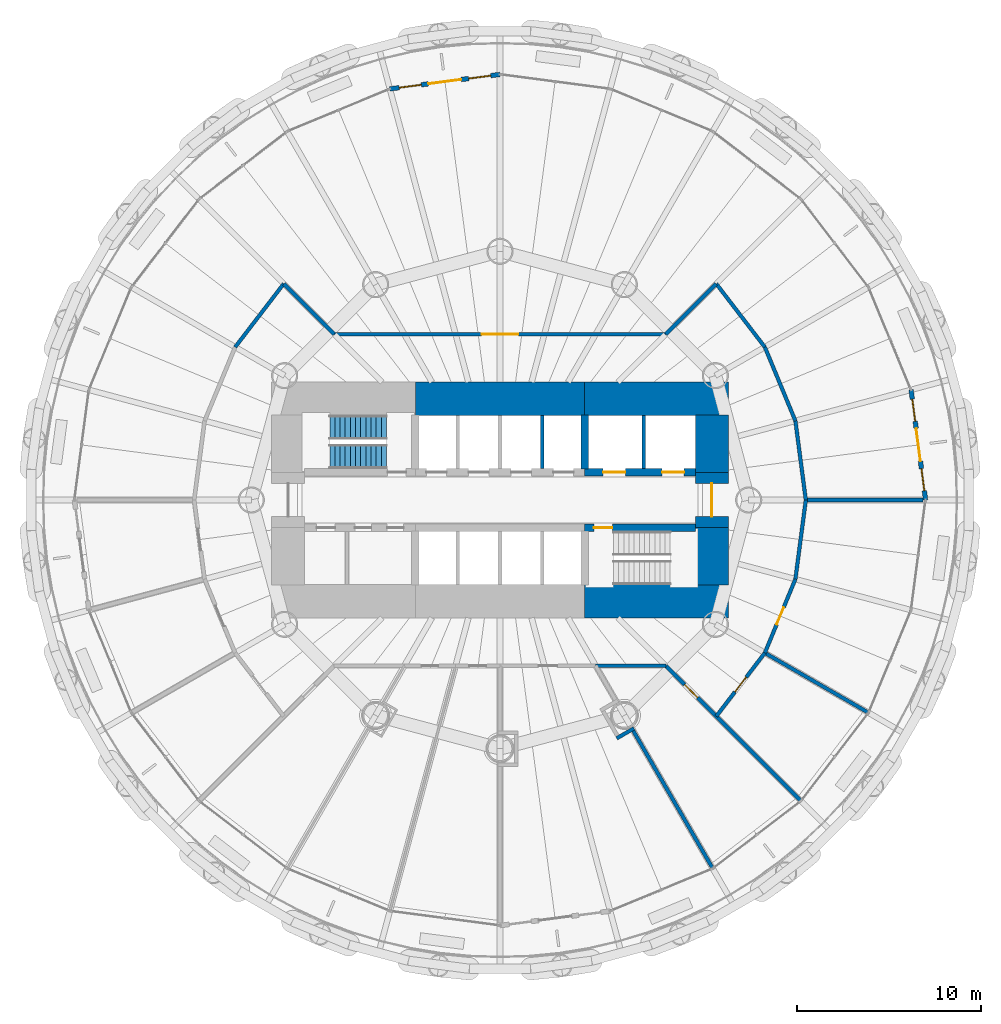
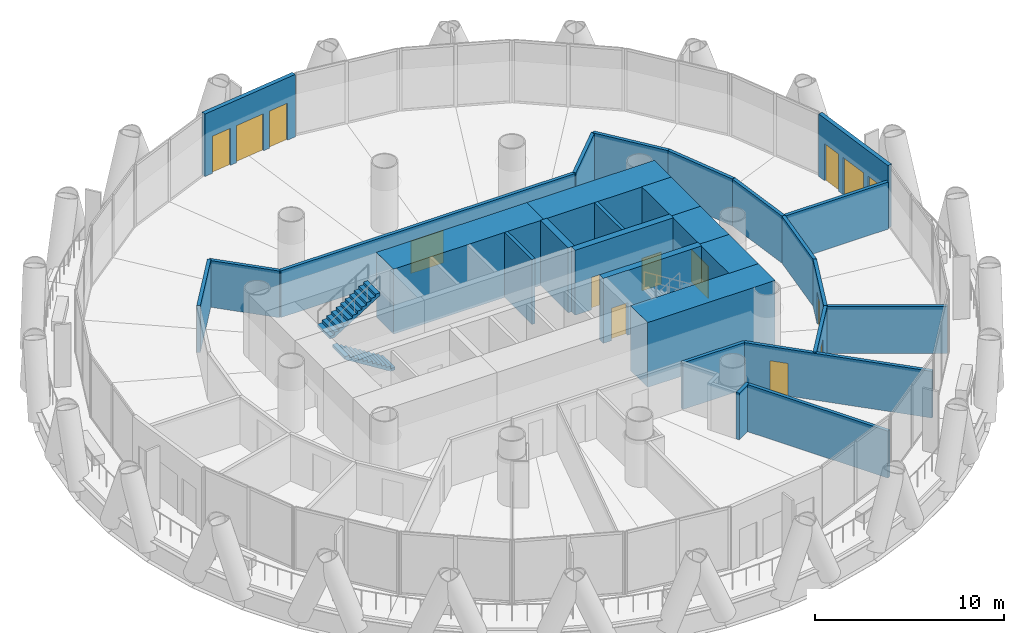
# One storey, part 11 of 16: 29 walls, 10 doors, 4 windows, 2 stair flights, 14 openings, 1 element without a shape of its own.
"""IFC4 building model written with IfcOpenShell, lengths in metres."""

from ifc_helpers import new_model, si_unit, direction, frame, frame_2d, origin, place, context, subcontext, project, spatial, polyline, rectangle, outline, extrude, material, layer, layer_set, type_object, element, fill, aggregate, save


model = new_model("IFC4")

# Units and contexts
model_context = context("Model", 3, precision=1e-05, world=origin(), true_north=direction((0.0, 1.0)))
body_context = subcontext(model_context, "Body", "Model", "MODEL_VIEW")
ifc_project = project(units=[si_unit("LENGTHUNIT", "METRE"), si_unit("AREAUNIT", "SQUARE_METRE"), si_unit("VOLUMEUNIT", "CUBIC_METRE"), si_unit("PLANEANGLEUNIT", "RADIAN"), si_unit("MASSUNIT", "GRAM", prefix="KILO")], contexts=[model_context])

# Site, building, storey
site_placement = place(None, origin())
site = spatial("IfcSite", under=ifc_project, at=site_placement, CompositionType="ELEMENT")
building_placement = place(site_placement, origin())
building = spatial("IfcBuilding", under=site, at=building_placement, Name="Qaws Media Tower", CompositionType="ELEMENT")
storey_placement = place(building_placement, frame((0.0, 0.0, 80.60009765625)))
storey = spatial("IfcBuildingStorey", under=building, at=storey_placement, Name="L17", CompositionType="ELEMENT", Elevation=80.60009765625)

# Wall, openings, door, windows
ifc_material_1 = material(Name="Precast concrete, exposed finish", Category="concrete")
ifc_layer_1 = layer(ifc_material_1, 0.25)
ifc_layer_set_1 = layer_set([ifc_layer_1], Name="Balcony door wall 250")
wall_type_1 = type_object("IfcWallType", Name="Balcony door wall 250", PredefinedType="SOLIDWALL", material=ifc_layer_set_1)
wall_1_placement = place(storey_placement, frame((83.10009765625, 50.0, 0.0), z_axis=(0.0, 0.0, 1.0), x_axis=(-0.130524679454, 0.991445060532, 0.0)))
wall_1 = element("IfcWall", 1, at=wall_1_placement, inside=storey, type_object=wall_type_1, Name="W156 EW1 balcony door wall L17-01", PredefinedType="SOLIDWALL", context=body_context, shape_type="SweptSolid", body=[
    extrude(rectangle(XDim=6.0302734375, YDim=0.25, at=frame_2d((3.01513671875, 0.0))), origin(), (0.0, 0.0, 1.0), 4.039794921875),
])
opening_1_placement = place(wall_1_placement, frame((2.115234375, 0.0, 0.0)))
opening_1 = element("IfcOpeningElement", 2, at=opening_1_placement, cuts=wall_1, Name="Opening D7", PredefinedType="OPENING", context=body_context, shape_type="SweptSolid", body=[
    extrude(rectangle(XDim=1.800048828125, YDim=2.39990234375, at=frame_2d((0.89990234375, 1.199951171875))), frame((0.0, 0.135009765625, 0.0), z_axis=(0.0, -1.0, 0.0), x_axis=(1.0, 0.0, 0.0)), (0.0, 0.0, 1.0), 0.27001953125),
])
opening_2_placement = place(wall_1_placement, frame((0.51513671875, 0.0, 0.0)))
opening_2 = element("IfcOpeningElement", 3, at=opening_2_placement, cuts=wall_1, Name="Opening W1", PredefinedType="OPENING", context=body_context, shape_type="SweptSolid", body=[
    extrude(rectangle(XDim=1.199951171875, YDim=2.39990234375, at=frame_2d((0.60009765625, 1.199951171875))), frame((0.0, 0.135009765625, 0.0), z_axis=(0.0, -1.0, 0.0), x_axis=(1.0, 0.0, 0.0)), (0.0, 0.0, 1.0), 0.27001953125),
])
opening_3_placement = place(wall_1_placement, frame((4.315185546875, 0.0, 0.0)))
opening_3 = element("IfcOpeningElement", 4, at=opening_3_placement, cuts=wall_1, Name="Opening W1", PredefinedType="OPENING", context=body_context, shape_type="SweptSolid", body=[
    extrude(rectangle(XDim=1.199951171875, YDim=2.39990234375, at=frame_2d((0.60009765625, 1.199951171875))), frame((0.0, 0.135009765625, 0.0), z_axis=(0.0, -1.0, 0.0), x_axis=(1.0, 0.0, 0.0)), (0.0, 0.0, 1.0), 0.27001953125),
])
ifc_material_2 = material(Name="Aluminium and clear glass", Category="aluminium")
door_type_1 = type_object("IfcDoorType", Name="Balcony door pair 1800", OperationType="DOUBLE_DOOR_SLIDING", PredefinedType="DOOR", material=ifc_material_2)
door_1_placement = place(opening_1_placement, origin())
door_1 = element("IfcDoor", 5, at=door_1_placement, inside=storey, type_object=door_type_1, Name="D7 balcony door L17-01 in wall W156", OperationType="DOUBLE_DOOR_SLIDING", OverallHeight=2.39990234375, OverallWidth=1.800048828125, PredefinedType="DOOR", context=body_context, shape_type="SweptSolid", body=[
    extrude(rectangle(XDim=1.800048828125, YDim=2.39990234375, at=frame_2d((0.89990234375, 1.199951171875))), frame((0.0, 0.02490234375, 0.0), z_axis=(0.0, -1.0, 0.0), x_axis=(1.0, 0.0, 0.0)), (0.0, 0.0, 1.0), 0.050048828125),
])
fill(opening_1, door_1)
ifc_material_3 = material(Name="Aluminium and clear glass", Category="aluminium")
window_type = type_object("IfcWindowType", Name="Balcony side window 1200", PartitioningType="SINGLE_PANEL", PredefinedType="WINDOW", material=ifc_material_3)
window_1_placement = place(opening_2_placement, origin())
window_1 = element("IfcWindow", 6, at=window_1_placement, inside=storey, type_object=window_type, Name="W1 balcony side light L17-01L", OverallHeight=2.39990234375, OverallWidth=1.199951171875, PartitioningType="SINGLE_PANEL", PredefinedType="WINDOW", context=body_context, shape_type="SweptSolid", body=[
    extrude(rectangle(XDim=1.199951171875, YDim=2.39990234375, at=frame_2d((0.60009765625, 1.199951171875))), frame((0.0, 0.030029296875, 0.0), z_axis=(0.0, -1.0, 0.0), x_axis=(1.0, 0.0, 0.0)), (0.0, 0.0, 1.0), 0.06005859375),
])
fill(opening_2, window_1)
window_2_placement = place(opening_3_placement, origin())
window_2 = element("IfcWindow", 7, at=window_2_placement, inside=storey, type_object=window_type, Name="W1 balcony side light L17-01R", OverallHeight=2.39990234375, OverallWidth=1.199951171875, PartitioningType="SINGLE_PANEL", PredefinedType="WINDOW", context=body_context, shape_type="SweptSolid", body=[
    extrude(rectangle(XDim=1.199951171875, YDim=2.39990234375, at=frame_2d((0.60009765625, 1.199951171875))), frame((0.0, 0.030029296875, 0.0), z_axis=(0.0, -1.0, 0.0), x_axis=(1.0, 0.0, 0.0)), (0.0, 0.0, 1.0), 0.06005859375),
])
fill(opening_3, window_2)

wall_2_placement = place(storey_placement, frame((60.0, 73.10009765625, 0.0), z_axis=(0.0, 0.0, 1.0), x_axis=(-0.991445060532, -0.130524679454, 0.0)))
wall_2 = element("IfcWall", 8, at=wall_2_placement, inside=storey, type_object=wall_type_1, Name="W155 EW1 balcony door wall L17-07", PredefinedType="SOLIDWALL", context=body_context, shape_type="SweptSolid", body=[
    extrude(rectangle(XDim=6.0302734375, YDim=0.25, at=frame_2d((3.01513671875, 0.0))), origin(), (0.0, 0.0, 1.0), 4.039794921875),
])
opening_4_placement = place(wall_2_placement, frame((2.115234375, 0.0, 0.0)))
opening_4 = element("IfcOpeningElement", 9, at=opening_4_placement, cuts=wall_2, Name="Opening D7", PredefinedType="OPENING", context=body_context, shape_type="SweptSolid", body=[
    extrude(rectangle(XDim=1.800048828125, YDim=2.39990234375, at=frame_2d((0.89990234375, 1.199951171875))), frame((0.0, 0.135009765625, 0.0), z_axis=(0.0, -1.0, 0.0), x_axis=(1.0, 0.0, 0.0)), (0.0, 0.0, 1.0), 0.27001953125),
])
opening_5_placement = place(wall_2_placement, frame((0.51513671875, 0.0, 0.0)))
opening_5 = element("IfcOpeningElement", 10, at=opening_5_placement, cuts=wall_2, Name="Opening W1", PredefinedType="OPENING", context=body_context, shape_type="SweptSolid", body=[
    extrude(rectangle(XDim=1.199951171875, YDim=2.39990234375, at=frame_2d((0.60009765625, 1.199951171875))), frame((0.0, 0.135009765625, 0.0), z_axis=(0.0, -1.0, 0.0), x_axis=(1.0, 0.0, 0.0)), (0.0, 0.0, 1.0), 0.27001953125),
])
opening_6_placement = place(wall_2_placement, frame((4.315185546875, 0.0, 0.0)))
opening_6 = element("IfcOpeningElement", 11, at=opening_6_placement, cuts=wall_2, Name="Opening W1", PredefinedType="OPENING", context=body_context, shape_type="SweptSolid", body=[
    extrude(rectangle(XDim=1.199951171875, YDim=2.39990234375, at=frame_2d((0.60009765625, 1.199951171875))), frame((0.0, 0.135009765625, 0.0), z_axis=(0.0, -1.0, 0.0), x_axis=(1.0, 0.0, 0.0)), (0.0, 0.0, 1.0), 0.27001953125),
])
door_2_placement = place(opening_4_placement, origin())
door_2 = element("IfcDoor", 12, at=door_2_placement, inside=storey, type_object=door_type_1, Name="D7 balcony door L17-07 in wall W155", OperationType="DOUBLE_DOOR_SLIDING", OverallHeight=2.39990234375, OverallWidth=1.800048828125, PredefinedType="DOOR", context=body_context, shape_type="SweptSolid", body=[
    extrude(rectangle(XDim=1.800048828125, YDim=2.39990234375, at=frame_2d((0.89990234375, 1.199951171875))), frame((0.0, 0.02490234375, 0.0), z_axis=(0.0, -1.0, 0.0), x_axis=(1.0, 0.0, 0.0)), (0.0, 0.0, 1.0), 0.050048828125),
])
fill(opening_4, door_2)
window_3_placement = place(opening_5_placement, origin())
window_3 = element("IfcWindow", 13, at=window_3_placement, inside=storey, type_object=window_type, Name="W1 balcony side light L17-07L", OverallHeight=2.39990234375, OverallWidth=1.199951171875, PartitioningType="SINGLE_PANEL", PredefinedType="WINDOW", context=body_context, shape_type="SweptSolid", body=[
    extrude(rectangle(XDim=1.199951171875, YDim=2.39990234375, at=frame_2d((0.60009765625, 1.199951171875))), frame((0.0, 0.030029296875, 0.0), z_axis=(0.0, -1.0, 0.0), x_axis=(1.0, 0.0, 0.0)), (0.0, 0.0, 1.0), 0.06005859375),
])
fill(opening_5, window_3)
window_4_placement = place(opening_6_placement, origin())
window_4 = element("IfcWindow", 14, at=window_4_placement, inside=storey, type_object=window_type, Name="W1 balcony side light L17-07R", OverallHeight=2.39990234375, OverallWidth=1.199951171875, PartitioningType="SINGLE_PANEL", PredefinedType="WINDOW", context=body_context, shape_type="SweptSolid", body=[
    extrude(rectangle(XDim=1.199951171875, YDim=2.39990234375, at=frame_2d((0.60009765625, 1.199951171875))), frame((0.0, 0.030029296875, 0.0), z_axis=(0.0, -1.0, 0.0), x_axis=(1.0, 0.0, 0.0)), (0.0, 0.0, 1.0), 0.06005859375),
])
fill(opening_6, window_4)

# Wall, openings, doors
ifc_material_4 = material(Name="Concrete C60/75", Category="concrete")
ifc_layer_2 = layer(ifc_material_4, 0.39990234375)
ifc_layer_set_2 = layer_set([ifc_layer_2], Name="Core inner wall 400")
wall_type_2 = type_object("IfcWallType", Name="Core inner wall 400", PredefinedType="SHEAR", material=ifc_layer_set_2)
wall_3_placement = place(storey_placement, frame((64.60009765625, 51.5, 0.0), z_axis=(0.0, 0.0, 1.0), x_axis=(1.0, 0.0, 0.0)))
wall_3 = element("IfcWall", 15, at=wall_3_placement, inside=storey, type_object=wall_type_2, Name="W318 SW4 core wall SPNE L17", PredefinedType="SHEAR", context=body_context, shape_type="SweptSolid", body=[
    extrude(rectangle(XDim=6.02001953125, YDim=0.39990234375, at=frame_2d((3.010009765625, 0.0))), origin(), (0.0, 0.0, 1.0), 4.199951171875),
])
opening_7_placement = place(wall_3_placement, frame((1.0, 0.0, 0.0)))
opening_7 = element("IfcOpeningElement", 16, at=opening_7_placement, cuts=wall_3, Name="Opening LD2", PredefinedType="OPENING", context=body_context, shape_type="SweptSolid", body=[
    extrude(rectangle(XDim=1.199951171875, YDim=2.10009765625, at=frame_2d((0.60009765625, 1.050048828125))), frame((0.0, 0.2099609375, 0.0), z_axis=(0.0, -1.0, 0.0), x_axis=(1.0, 0.0, 0.0)), (0.0, 0.0, 1.0), 0.419921875),
])
opening_8_placement = place(wall_3_placement, frame((4.199951171875, 0.0, 0.0)))
opening_8 = element("IfcOpeningElement", 17, at=opening_8_placement, cuts=wall_3, Name="Opening LD2", PredefinedType="OPENING", context=body_context, shape_type="SweptSolid", body=[
    extrude(rectangle(XDim=1.199951171875, YDim=2.10009765625, at=frame_2d((0.60009765625, 1.050048828125))), frame((0.0, 0.2099609375, 0.0), z_axis=(0.0, -1.0, 0.0), x_axis=(1.0, 0.0, 0.0)), (0.0, 0.0, 1.0), 0.419921875),
])
ifc_material_5 = material(Name="Steel, fire rated", Category="steel")
door_type_2 = type_object("IfcDoorType", Name="Lift landing door 1200", OperationType="SLIDING_TO_LEFT", PredefinedType="DOOR", material=ifc_material_5)
door_3_placement = place(opening_7_placement, origin())
door_3 = element("IfcDoor", 18, at=door_3_placement, inside=storey, type_object=door_type_2, Name="FL1 landing door L17 in wall W318", OperationType="SLIDING_TO_LEFT", OverallHeight=2.10009765625, OverallWidth=1.199951171875, PredefinedType="DOOR", context=body_context, shape_type="SweptSolid", body=[
    extrude(rectangle(XDim=1.199951171875, YDim=2.10009765625, at=frame_2d((0.60009765625, 1.050048828125))), frame((0.0, 0.02490234375, 0.0), z_axis=(0.0, -1.0, 0.0), x_axis=(1.0, 0.0, 0.0)), (0.0, 0.0, 1.0), 0.050048828125),
])
fill(opening_7, door_3)
door_4_placement = place(opening_8_placement, origin())
door_4 = element("IfcDoor", 19, at=door_4_placement, inside=storey, type_object=door_type_2, Name="FL2 landing door L17 in wall W318", OperationType="SLIDING_TO_LEFT", OverallHeight=2.10009765625, OverallWidth=1.199951171875, PredefinedType="DOOR", context=body_context, shape_type="SweptSolid", body=[
    extrude(rectangle(XDim=1.199951171875, YDim=2.10009765625, at=frame_2d((0.60009765625, 1.050048828125))), frame((0.0, 0.02490234375, 0.0), z_axis=(0.0, -1.0, 0.0), x_axis=(1.0, 0.0, 0.0)), (0.0, 0.0, 1.0), 0.050048828125),
])
fill(opening_8, door_4)

# Wall, opening, door
wall_4_placement = place(storey_placement, frame((64.60009765625, 48.5, 0.0), z_axis=(0.0, 0.0, 1.0), x_axis=(1.0, 0.0, 0.0)))
wall_4 = element("IfcWall", 20, at=wall_4_placement, inside=storey, type_object=wall_type_2, Name="W317 SW4 core wall SPSE L17", PredefinedType="SHEAR", context=body_context, shape_type="SweptSolid", body=[
    extrude(rectangle(XDim=6.02001953125, YDim=0.39990234375, at=frame_2d((3.010009765625, 0.0))), origin(), (0.0, 0.0, 1.0), 4.199951171875),
])
opening_9_placement = place(wall_4_placement, frame((0.5, 0.0, 0.0)))
opening_9 = element("IfcOpeningElement", 21, at=opening_9_placement, cuts=wall_4, Name="Opening D1", PredefinedType="OPENING", context=body_context, shape_type="SweptSolid", body=[
    extrude(rectangle(XDim=1.0, YDim=2.10009765625, at=frame_2d((0.5, 1.050048828125))), frame((0.0, 0.2099609375, 0.0), z_axis=(0.0, -1.0, 0.0), x_axis=(1.0, 0.0, 0.0)), (0.0, 0.0, 1.0), 0.419921875),
])
ifc_material_6 = material(Name="Steel, fire rated", Category="steel")
door_type_3 = type_object("IfcDoorType", Name="Stair door 1000 FD120", OperationType="SINGLE_SWING_LEFT", PredefinedType="DOOR", material=ifc_material_6)
door_5_placement = place(opening_9_placement, origin())
door_5 = element("IfcDoor", 22, at=door_5_placement, inside=storey, type_object=door_type_3, Name="D1 stair S2 door L17 in wall W317", OperationType="SINGLE_SWING_LEFT", OverallHeight=2.10009765625, OverallWidth=1.0, PredefinedType="DOOR", context=body_context, shape_type="SweptSolid", body=[
    extrude(rectangle(XDim=1.0, YDim=2.10009765625, at=frame_2d((0.5, 1.050048828125))), frame((0.0, 0.02490234375, 0.0), z_axis=(0.0, -1.0, 0.0), x_axis=(1.0, 0.0, 0.0)), (0.0, 0.0, 1.0), 0.050048828125),
])
fill(opening_9, door_5)

# Walls
wall_5_placement = place(storey_placement, frame((64.60009765625, 51.679931640625, 0.0), z_axis=(0.0, 0.0, 1.0), x_axis=(0.0, 1.0, 0.0)))
element("IfcWall", 23, at=wall_5_placement, inside=storey, type_object=wall_type_2, Name="W319 SW4 core wall XNE L17", PredefinedType="SHEAR", context=body_context, shape_type="SweptSolid", body=[
    extrude(rectangle(XDim=2.940185546875, YDim=0.39990234375, at=frame_2d((1.47021484375, 0.0))), origin(), (0.0, 0.0, 1.0), 4.199951171875),
])
ifc_material_7 = material(Name="Concrete C60/75", Category="concrete")
ifc_layer_3 = layer(ifc_material_7, 1.800048828125)
ifc_layer_set_3 = layer_set([ifc_layer_3], Name="Core wall 1800")
wall_type_3 = type_object("IfcWallType", Name="Core wall 1800", PredefinedType="SHEAR", material=ifc_layer_set_3)
wall_6_placement = place(storey_placement, frame((55.39990234375, 55.5, 0.0), z_axis=(0.0, 0.0, 1.0), x_axis=(1.0, 0.0, 0.0)))
element("IfcWall", 24, at=wall_6_placement, inside=storey, type_object=wall_type_3, Name="W404 SW11 core wall N L17", PredefinedType="SHEAR", context=body_context, shape_type="SweptSolid", body=[
    extrude(rectangle(XDim=9.2001953125, YDim=1.800048828125, at=frame_2d((4.60009765625, 0.0))), origin(), (0.0, 0.0, 1.0), 4.199951171875),
])
for number, where, z_axis, x_axis, name in (
    (25, (64.60009765625, 55.5, 0.0), (0.0, 0.0, 1.0), (1.0, 0.0, 0.0), "W406 SW11 core wall NE L17"),
    (26, (64.60009765625, 44.5, 0.0), (0.0, 0.0, 1.0), (1.0, 0.0, 0.0), "W405 SW11 core wall SE L17"),
):
    element("IfcWall", number, at=place(storey_placement, frame(where, z_axis=z_axis, x_axis=x_axis)), inside=storey, type_object=wall_type_3, Name=name, PredefinedType="SHEAR", context=body_context, shape_type="SweptSolid", body=[
        extrude(rectangle(XDim=7.7998046875, YDim=1.800048828125, at=frame_2d((3.89990234375, 0.0))), origin(), (0.0, 0.0, 1.0), 4.199951171875),
    ])
wall_7_placement = place(storey_placement, frame((71.5, 45.3798828125, 0.0), z_axis=(0.0, 0.0, 1.0), x_axis=(0.0, 1.0, 0.0)))
element("IfcWall", 27, at=wall_7_placement, inside=storey, type_object=wall_type_3, Name="W407 SW11 core wall ES L17", PredefinedType="SHEAR", context=body_context, shape_type="SweptSolid", body=[
    extrude(rectangle(XDim=3.1201171875, YDim=1.800048828125, at=frame_2d((1.56005859375, 0.0))), origin(), (0.0, 0.0, 1.0), 4.199951171875),
])

# Wall, opening, door
wall_8_placement = place(storey_placement, frame((71.5, 48.5, 0.0), z_axis=(0.0, 0.0, 1.0), x_axis=(0.0, 1.0, 0.0)))
wall_8 = element("IfcWall", 28, at=wall_8_placement, inside=storey, type_object=wall_type_3, Name="W408 SW11 core wall E L17", PredefinedType="SHEAR", context=body_context, shape_type="SweptSolid", body=[
    extrude(rectangle(XDim=3.0, YDim=1.800048828125, at=frame_2d((1.5, 0.0))), origin(), (0.0, 0.0, 1.0), 4.199951171875),
])
opening_10_placement = place(wall_8_placement, frame((0.60009765625, 0.0, 0.0)))
opening_10 = element("IfcOpeningElement", 29, at=opening_10_placement, cuts=wall_8, Name="Opening D2", PredefinedType="OPENING", context=body_context, shape_type="SweptSolid", body=[
    extrude(rectangle(XDim=1.800048828125, YDim=2.10009765625, at=frame_2d((0.89990234375, 1.050048828125))), frame((0.0, 0.909912109375, 0.0), z_axis=(0.0, -1.0, 0.0), x_axis=(1.0, 0.0, 0.0)), (0.0, 0.0, 1.0), 1.820068359375),
])
ifc_material_8 = material(Name="Steel and glass, fire rated", Category="steel")
door_type_4 = type_object("IfcDoorType", Name="Lobby door pair 1800 FD60", OperationType="DOUBLE_DOOR_DOUBLE_SWING", PredefinedType="DOOR", material=ifc_material_8)
door_6_placement = place(opening_10_placement, origin())
door_6 = element("IfcDoor", 30, at=door_6_placement, inside=storey, type_object=door_type_4, Name="D2 core lobby door E L17 in wall W408", OperationType="DOUBLE_DOOR_DOUBLE_SWING", OverallHeight=2.10009765625, OverallWidth=1.800048828125, PredefinedType="DOOR", context=body_context, shape_type="SweptSolid", body=[
    extrude(rectangle(XDim=1.800048828125, YDim=2.10009765625, at=frame_2d((0.89990234375, 1.050048828125))), frame((0.0, 0.02490234375, 0.0), z_axis=(0.0, -1.0, 0.0), x_axis=(1.0, 0.0, 0.0)), (0.0, 0.0, 1.0), 0.050048828125),
])
fill(opening_10, door_6)

# Walls
wall_9_placement = place(storey_placement, frame((71.5, 51.5, 0.0), z_axis=(0.0, 0.0, 1.0), x_axis=(0.0, 1.0, 0.0)))
element("IfcWall", 31, at=wall_9_placement, inside=storey, type_object=wall_type_3, Name="W409 SW11 core wall EN L17", PredefinedType="SHEAR", context=body_context, shape_type="SweptSolid", body=[
    extrude(rectangle(XDim=3.1201171875, YDim=1.800048828125, at=frame_2d((1.56005859375, 0.0))), origin(), (0.0, 0.0, 1.0), 4.199951171875),
])
ifc_material_9 = material(Name="Gypsum board on galvanised metal studs, acoustic double stud, deflection head", Category="gypsum")
ifc_layer_4 = layer(ifc_material_9, 0.199951171875)
ifc_layer_set_4 = layer_set([ifc_layer_4], Name="Room partition 200")
wall_type_4 = type_object("IfcWallType", Name="Room partition 200", PredefinedType="PARTITIONING", material=ifc_layer_set_4)
wall_10_placement = place(storey_placement, frame((45.6240234375, 58.300048828125, 0.0), z_axis=(0.0, 0.0, 1.0), x_axis=(0.60874374674, 0.79336690806, 0.0)))
element("IfcWall", 32, at=wall_10_placement, inside=storey, type_object=wall_type_4, Name="W992 IW3 partition L17", PredefinedType="PARTITIONING", context=body_context, shape_type="SweptSolid", body=[
    extrude(rectangle(XDim=4.33349609375, YDim=0.199951171875, at=frame_2d((2.166748046875, 0.0))), origin(), (0.0, 0.0, 1.0), 3.039794921875),
])
wall_11_placement = place(storey_placement, frame((48.261962890625, 61.738037109375, 0.0), z_axis=(0.0, 0.0, 1.0), x_axis=(0.707106781187, -0.707106781187, 0.0)))
element("IfcWall", 33, at=wall_11_placement, inside=storey, type_object=wall_type_4, Name="W994 IW3 partition L17", PredefinedType="PARTITIONING", context=body_context, shape_type="SweptSolid", body=[
    extrude(rectangle(XDim=3.8720703125, YDim=0.199951171875, at=frame_2d((1.93603515625, 0.0))), origin(), (0.0, 0.0, 1.0), 3.02001953125),
])

# Wall, opening, door
wall_12_placement = place(storey_placement, frame((51.0, 59.0, 0.0), z_axis=(0.0, 0.0, 1.0), x_axis=(1.0, 0.0, 0.0)))
wall_12 = element("IfcWall", 34, at=wall_12_placement, inside=storey, type_object=wall_type_4, Name="W1098 IW3 partition L17", PredefinedType="PARTITIONING", context=body_context, shape_type="SweptSolid", body=[
    extrude(rectangle(XDim=18.0, YDim=0.199951171875, at=frame_2d((9.0, 0.0))), origin(), (0.0, 0.0, 1.0), 3.02001953125),
])
opening_11_placement = place(wall_12_placement, frame((8.0, 0.0, 0.0)))
opening_11 = element("IfcOpeningElement", 35, at=opening_11_placement, cuts=wall_12, Name="Opening D6", PredefinedType="OPENING", context=body_context, shape_type="SweptSolid", body=[
    extrude(rectangle(XDim=2.0, YDim=2.10009765625, at=frame_2d((1.0, 1.050048828125))), frame((0.0, 0.10986328125, 0.0), z_axis=(0.0, -1.0, 0.0), x_axis=(1.0, 0.0, 0.0)), (0.0, 0.0, 1.0), 0.219970703125),
])
ifc_material_10 = material(Name="Steel, acoustic, fire rated", Category="steel")
door_type_5 = type_object("IfcDoorType", Name="Room door pair 2000", OperationType="DOUBLE_DOOR_DOUBLE_SWING", PredefinedType="DOOR", material=ifc_material_10)
door_7_placement = place(opening_11_placement, origin())
door_7 = element("IfcDoor", 36, at=door_7_placement, inside=storey, type_object=door_type_5, Name="D6 Newsroom door L17 in wall W1098", OperationType="DOUBLE_DOOR_DOUBLE_SWING", OverallHeight=2.10009765625, OverallWidth=2.0, PredefinedType="DOOR", context=body_context, shape_type="SweptSolid", body=[
    extrude(rectangle(XDim=2.0, YDim=2.10009765625, at=frame_2d((1.0, 1.050048828125))), frame((0.0, 0.02490234375, 0.0), z_axis=(0.0, -1.0, 0.0), x_axis=(1.0, 0.0, 0.0)), (0.0, 0.0, 1.0), 0.050048828125),
])
fill(opening_11, door_7)

# Walls
wall_13_placement = place(storey_placement, frame((69.0, 59.0, 0.0), z_axis=(0.0, 0.0, 1.0), x_axis=(0.707106781187, 0.707106781187, 0.0)))
element("IfcWall", 37, at=wall_13_placement, inside=storey, type_object=wall_type_4, Name="W1011 IW3 partition L17", PredefinedType="PARTITIONING", context=body_context, shape_type="SweptSolid", body=[
    extrude(rectangle(XDim=3.8720703125, YDim=0.199951171875, at=frame_2d((1.93603515625, 0.0))), origin(), (0.0, 0.0, 1.0), 3.02001953125),
])
for number, where, z_axis, x_axis, name in (
    (38, (71.738037109375, 61.738037109375, 0.0), (0.0, 0.0, 1.0), (0.60874374674, -0.79336690806, 0.0), "W1012 IW3 partition L17"),
    (39, (74.3759765625, 58.300048828125, 0.0), (0.0, 0.0, 1.0), (0.382698425325, -0.923873322082, 0.0), "W1014 IW3 partition L17"),
    (40, (76.034423828125, 54.29638671875, 0.0), (0.0, 0.0, 1.0), (0.130536124221, -0.99144355375, 0.0), "W1016 IW3 partition L17"),
    (41, (76.60009765625, 50.0, 0.0), (0.0, 0.0, 1.0), (-0.130536124221, -0.99144355375, 0.0), "W1017 IW3 partition L17"),
):
    element("IfcWall", number, at=place(storey_placement, frame(where, z_axis=z_axis, x_axis=x_axis)), inside=storey, type_object=wall_type_4, Name=name, PredefinedType="PARTITIONING", context=body_context, shape_type="SweptSolid", body=[
        extrude(rectangle(XDim=4.33349609375, YDim=0.199951171875, at=frame_2d((2.166748046875, 0.0))), origin(), (0.0, 0.0, 1.0), 3.039794921875),
    ])

# Wall, opening, door
wall_14_placement = place(storey_placement, frame((76.034423828125, 45.70361328125, 0.0), z_axis=(0.0, 0.0, 1.0), x_axis=(-0.382698425325, -0.923873322082, 0.0)))
wall_14 = element("IfcWall", 42, at=wall_14_placement, inside=storey, type_object=wall_type_4, Name="W1015 IW3 partition L17", PredefinedType="PARTITIONING", context=body_context, shape_type="SweptSolid", body=[
    extrude(rectangle(XDim=4.33349609375, YDim=0.199951171875, at=frame_2d((2.166748046875, 0.0))), origin(), (0.0, 0.0, 1.0), 3.039794921875),
])
opening_12_placement = place(wall_14_placement, frame((1.666748046875, 0.0, 0.0)))
opening_12 = element("IfcOpeningElement", 43, at=opening_12_placement, cuts=wall_14, Name="Opening D5", PredefinedType="OPENING", context=body_context, shape_type="SweptSolid", body=[
    extrude(rectangle(XDim=1.0, YDim=2.10009765625, at=frame_2d((0.5, 1.050048828125))), frame((0.0, 0.10986328125, 0.0), z_axis=(0.0, -1.0, 0.0), x_axis=(1.0, 0.0, 0.0)), (0.0, 0.0, 1.0), 0.219970703125),
])
ifc_material_11 = material(Name="Timber veneered, acoustic seal", Category="wood")
door_type_6 = type_object("IfcDoorType", Name="Room door 1000", OperationType="SINGLE_SWING_LEFT", PredefinedType="DOOR", material=ifc_material_11)
door_8_placement = place(opening_12_placement, origin())
door_8 = element("IfcDoor", 44, at=door_8_placement, inside=storey, type_object=door_type_6, Name="D5 Newsroom door L17 in wall W1015", OperationType="SINGLE_SWING_LEFT", OverallHeight=2.10009765625, OverallWidth=1.0, PredefinedType="DOOR", context=body_context, shape_type="SweptSolid", body=[
    extrude(rectangle(XDim=1.0, YDim=2.10009765625, at=frame_2d((0.5, 1.050048828125))), frame((0.0, 0.02490234375, 0.0), z_axis=(0.0, -1.0, 0.0), x_axis=(1.0, 0.0, 0.0)), (0.0, 0.0, 1.0), 0.050048828125),
])
fill(opening_12, door_8)

wall_15_placement = place(storey_placement, frame((74.3759765625, 41.699951171875, 0.0), z_axis=(0.0, 0.0, 1.0), x_axis=(-0.60874374674, -0.79336690806, 0.0)))
wall_15 = element("IfcWall", 45, at=wall_15_placement, inside=storey, type_object=wall_type_4, Name="W1013 IW3 partition L17", PredefinedType="PARTITIONING", context=body_context, shape_type="SweptSolid", body=[
    extrude(rectangle(XDim=4.33349609375, YDim=0.199951171875, at=frame_2d((2.166748046875, 0.0))), origin(), (0.0, 0.0, 1.0), 3.039794921875),
])
opening_13_placement = place(wall_15_placement, frame((1.666748046875, 0.0, 0.0)))
opening_13 = element("IfcOpeningElement", 46, at=opening_13_placement, cuts=wall_15, Name="Opening D5", PredefinedType="OPENING", context=body_context, shape_type="SweptSolid", body=[
    extrude(rectangle(XDim=1.0, YDim=2.10009765625, at=frame_2d((0.5, 1.050048828125))), frame((0.0, 0.10986328125, 0.0), z_axis=(0.0, -1.0, 0.0), x_axis=(1.0, 0.0, 0.0)), (0.0, 0.0, 1.0), 0.219970703125),
])
door_9_placement = place(opening_13_placement, origin())
door_9 = element("IfcDoor", 47, at=door_9_placement, inside=storey, type_object=door_type_6, Name="D5 Ladies toilets door L17 in wall W1013", OperationType="SINGLE_SWING_LEFT", OverallHeight=2.10009765625, OverallWidth=1.0, PredefinedType="DOOR", context=body_context, shape_type="SweptSolid", body=[
    extrude(rectangle(XDim=1.0, YDim=2.10009765625, at=frame_2d((0.5, 1.050048828125))), frame((0.0, 0.02490234375, 0.0), z_axis=(0.0, -1.0, 0.0), x_axis=(1.0, 0.0, 0.0)), (0.0, 0.0, 1.0), 0.050048828125),
])
fill(opening_13, door_9)

# Walls
wall_16_placement = place(storey_placement, frame((69.0, 41.0, 0.0), z_axis=(0.0, 0.0, 1.0), x_axis=(-1.0, 0.0, 0.0)))
element("IfcWall", 48, at=wall_16_placement, inside=storey, type_object=wall_type_4, Name="W1009 IW3 partition L17", PredefinedType="PARTITIONING", context=body_context, shape_type="SweptSolid", body=[
    extrude(rectangle(XDim=3.8037109375, YDim=0.199951171875, at=frame_2d((1.90185546875, 0.0))), origin(), (0.0, 0.0, 1.0), 3.02001953125),
])
wall_17_placement = place(storey_placement, frame((76.60009765625, 50.0, 0.0), z_axis=(0.0, 0.0, 1.0), x_axis=(1.0, 0.0, 0.0)))
element("IfcWall", 49, at=wall_17_placement, inside=storey, type_object=wall_type_4, Name="W1107 IW3 partition L17", PredefinedType="PARTITIONING", context=body_context, shape_type="SweptSolid", body=[
    extrude(rectangle(XDim=6.35986328125, YDim=0.199951171875, at=frame_2d((3.179931640625, 0.0))), origin(), (0.0, 0.0, 1.0), 3.039794921875),
])
wall_18_placement = place(storey_placement, frame((67.272216796875, 37.604248046875, 0.0), z_axis=(0.0, 0.0, 1.0), x_axis=(-0.86603892542, -0.499976579108, 0.0)))
element("IfcWall", 50, at=wall_18_placement, inside=storey, type_object=wall_type_4, Name="W1029 IW3 partition return L17", PredefinedType="PARTITIONING", context=body_context, shape_type="SweptSolid", body=[
    extrude(rectangle(XDim=1.0810546875, YDim=0.199951171875, at=frame_2d((0.54052734375, 0.0))), origin(), (0.0, 0.0, 1.0), 3.02001953125),
])
wall_19_placement = place(storey_placement, frame((67.235595703125, 37.4677734375, 0.0), z_axis=(0.0, 0.0, 1.0), x_axis=(0.499997214665, -0.866027011893, 0.0)))
element("IfcWall", 51, at=wall_19_placement, inside=storey, type_object=wall_type_4, Name="W1104 IW3 partition L17", PredefinedType="PARTITIONING", context=body_context, shape_type="SweptSolid", body=[
    extrude(rectangle(XDim=8.5888671875, YDim=0.199951171875, at=frame_2d((4.29443359375, 0.0))), origin(), (0.0, 0.0, 1.0), 3.039794921875),
])

# Wall, opening, door
wall_20_placement = place(storey_placement, frame((69.0, 41.0, 0.0), z_axis=(0.0, 0.0, 1.0), x_axis=(0.707106781187, -0.707106781187, 0.0)))
wall_20 = element("IfcWall", 52, at=wall_20_placement, inside=storey, type_object=wall_type_4, Name="W1105 IW3 partition L17", PredefinedType="PARTITIONING", context=body_context, shape_type="SweptSolid", body=[
    extrude(rectangle(XDim=10.33203125, YDim=0.199951171875, at=frame_2d((5.166015625, 0.0))), origin(), (0.0, 0.0, 1.0), 3.02001953125),
])
opening_14_placement = place(wall_20_placement, frame((1.43603515625, 0.0, 0.0)))
opening_14 = element("IfcOpeningElement", 53, at=opening_14_placement, cuts=wall_20, Name="Opening D5", PredefinedType="OPENING", context=body_context, shape_type="SweptSolid", body=[
    extrude(rectangle(XDim=1.0, YDim=2.10009765625, at=frame_2d((0.5, 1.050048828125))), frame((0.0, 0.10986328125, 0.0), z_axis=(0.0, -1.0, 0.0), x_axis=(1.0, 0.0, 0.0)), (0.0, 0.0, 1.0), 0.219970703125),
])
door_10_placement = place(opening_14_placement, origin())
door_10 = element("IfcDoor", 54, at=door_10_placement, inside=storey, type_object=door_type_6, Name="D5 Gents toilets door L17 in wall W1105", OperationType="SINGLE_SWING_LEFT", OverallHeight=2.10009765625, OverallWidth=1.0, PredefinedType="DOOR", context=body_context, shape_type="SweptSolid", body=[
    extrude(rectangle(XDim=1.0, YDim=2.10009765625, at=frame_2d((0.5, 1.050048828125))), frame((0.0, 0.02490234375, 0.0), z_axis=(0.0, -1.0, 0.0), x_axis=(1.0, 0.0, 0.0)), (0.0, 0.0, 1.0), 0.050048828125),
])
fill(opening_14, door_10)

# Walls
wall_21_placement = place(storey_placement, frame((74.3759765625, 41.699951171875, 0.0), z_axis=(0.0, 0.0, 1.0), x_axis=(0.866025099701, -0.500000526688, 0.0)))
element("IfcWall", 55, at=wall_21_placement, inside=storey, type_object=wall_type_4, Name="W1106 IW3 partition L17", PredefinedType="PARTITIONING", context=body_context, shape_type="SweptSolid", body=[
    extrude(rectangle(XDim=6.4599609375, YDim=0.199951171875, at=frame_2d((3.22998046875, 0.0))), origin(), (0.0, 0.0, 1.0), 3.039794921875),
])
ifc_material_12 = material(Name="Fire-rated gypsum board shaft wall on galvanised metal studs, deflection head", Category="gypsum")
ifc_layer_5 = layer(ifc_material_12, 0.199951171875)
ifc_layer_set_5 = layer_set([ifc_layer_5], Name="Shaft wall 200")
wall_type_5 = type_object("IfcWallType", Name="Shaft wall 200", PredefinedType="PARTITIONING", material=ifc_layer_set_5)
for number, where, z_axis, x_axis, name in (
    (56, (62.300048828125, 51.699951171875, 0.0), (0.0, 0.0, 1.0), (0.0, 1.0, 0.0), "W1844 IW1 shaft wall N3 L17"),
    (57, (67.800048828125, 51.699951171875, 0.0), (0.0, 0.0, 1.0), (0.0, 1.0, 0.0), "W1845 IW1 shaft wall FL L17"),
):
    element("IfcWall", number, at=place(storey_placement, frame(where, z_axis=z_axis, x_axis=x_axis)), inside=storey, type_object=wall_type_5, Name=name, PredefinedType="PARTITIONING", context=body_context, shape_type="SweptSolid", body=[
        extrude(rectangle(XDim=2.900146484375, YDim=0.199951171875, at=frame_2d((1.4501953125, 0.0))), origin(), (0.0, 0.0, 1.0), 4.199951171875),
    ])

# Stair, stair flights
ifc_material_13 = material(Name="Concrete C40/50", Category="concrete")
stair_type = type_object("IfcStairType", Name="Exit stair", PredefinedType="HALF_TURN_STAIR", material=ifc_material_13)
stair_placement = place(storey_placement, origin())
stair = element("IfcStair", 58, at=stair_placement, inside=storey, type_object=stair_type, Name="S1 exit stair L17", PredefinedType="HALF_TURN_STAIR")
ifc_material_14 = material(Name="Concrete C40/50", Category="concrete")
stair_flight_type = type_object("IfcStairFlightType", Name="Stair flight 1310", PredefinedType="STRAIGHT", material=ifc_material_14)
stair_flight_1_placement = place(storey_placement, frame((53.840087890625, 52.35498046875, 0.0), z_axis=(0.0, 0.0, 1.0), x_axis=(-1.0, 0.0, 0.0)))
stair_flight_1 = element("IfcStairFlight", 59, at=stair_flight_1_placement, type_object=stair_flight_type, Name="S1 flight 1", NumberOfRisers=12, NumberOfTreads=11, PredefinedType="STRAIGHT", RiserHeight=0.175, TreadLength=0.28, context=body_context, shape_type="SweptSolid", body=[
    extrude(outline(polyline([(0.0, 0.0), (0.0, 0.175048828125), (0.280029296875, 0.175048828125), (0.280029296875, 0.35009765625), (0.56005859375, 0.35009765625), (0.56005859375, 0.52490234375), (0.840087890625, 0.52490234375), (0.840087890625, 0.699951171875), (1.1201171875, 0.699951171875), (1.1201171875, 0.875), (1.39990234375, 0.875), (1.39990234375, 1.050048828125), (1.679931640625, 1.050048828125), (1.679931640625, 1.22509765625), (1.9599609375, 1.22509765625), (1.9599609375, 1.39990234375), (2.239990234375, 1.39990234375), (2.239990234375, 1.574951171875), (2.52001953125, 1.574951171875), (2.52001953125, 1.75), (2.800048828125, 1.75), (2.800048828125, 1.925048828125), (3.080078125, 1.925048828125), (3.080078125, 2.10009765625), (3.080078125, 1.748291015625), (0.28271484375, 0.0), (0.0, 0.0)])), frame((0.0, 0.655029296875, 0.0), z_axis=(0.0, -1.0, 0.0), x_axis=(1.0, 0.0, 0.0)), (0.0, 0.0, 1.0), 1.31005859375),
])
stair_flight_2_placement = place(storey_placement, frame((50.760009765625, 53.945068359375, 2.099853515625), z_axis=(0.0, 0.0, 1.0), x_axis=(1.0, 0.0, 0.0)))
stair_flight_2 = element("IfcStairFlight", 60, at=stair_flight_2_placement, type_object=stair_flight_type, Name="S1 flight 2", NumberOfRisers=12, NumberOfTreads=11, PredefinedType="STRAIGHT", RiserHeight=0.175, TreadLength=0.28, context=body_context, shape_type="SweptSolid", body=[
    extrude(outline(polyline([(0.0, 0.0), (0.0, 0.175048828125), (0.280029296875, 0.175048828125), (0.280029296875, 0.35009765625), (0.56005859375, 0.35009765625), (0.56005859375, 0.52490234375), (0.840087890625, 0.52490234375), (0.840087890625, 0.699951171875), (1.1201171875, 0.699951171875), (1.1201171875, 0.875), (1.39990234375, 0.875), (1.39990234375, 1.050048828125), (1.679931640625, 1.050048828125), (1.679931640625, 1.22509765625), (1.9599609375, 1.22509765625), (1.9599609375, 1.39990234375), (2.239990234375, 1.39990234375), (2.239990234375, 1.574951171875), (2.52001953125, 1.574951171875), (2.52001953125, 1.75), (2.800048828125, 1.75), (2.800048828125, 1.925048828125), (3.080078125, 1.925048828125), (3.080078125, 2.10009765625), (3.080078125, 1.748291015625), (0.28271484375, 0.0), (0.0, 0.0)])), frame((0.0, 0.655029296875, 0.0), z_axis=(0.0, -1.0, 0.0), x_axis=(1.0, 0.0, 0.0)), (0.0, 0.0, 1.0), 1.31005859375),
])
aggregate(stair, [stair_flight_1, stair_flight_2])

save(model, "model.ifc")
